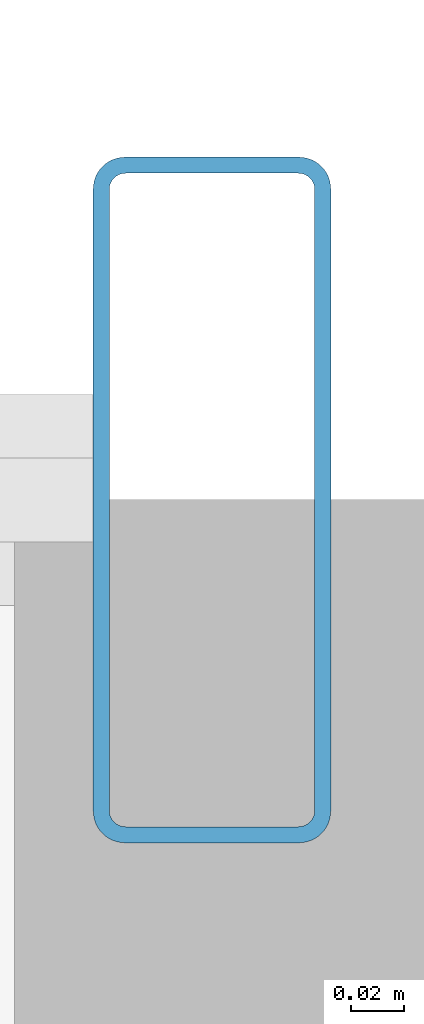
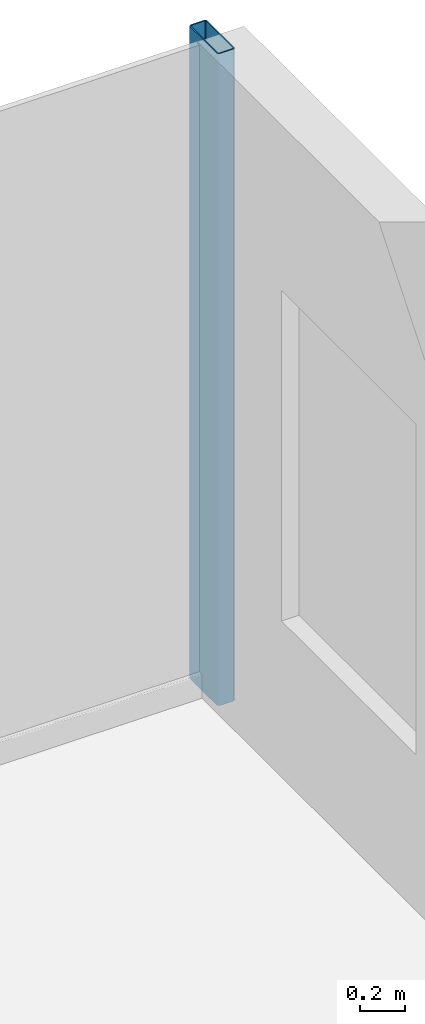
# One storey, part 14 of 26: 1 member, 1 element without a shape of its own.
"""IFC4 building model written with IfcOpenShell, lengths in metres."""

from ifc_helpers import new_model, si_unit, direction, frame, origin, origin_2d, place, context, subcontext, project, spatial, hollow_rectangle, extrude, source, transform, mapped, material, layer, layer_set, material_profile, profile_set, type_object, element, aggregate, save


model = new_model("IFC4")

# Units and contexts
model_context = context("Model", 3, precision=1e-05, world=origin(), true_north=direction((0.0, 1.0)))
body_context = subcontext(model_context, "Body", "Model", "MODEL_VIEW")
ifc_project = project(units=[si_unit("LENGTHUNIT", "METRE"), si_unit("AREAUNIT", "SQUARE_METRE"), si_unit("VOLUMEUNIT", "CUBIC_METRE"), si_unit("PLANEANGLEUNIT", "RADIAN"), si_unit("MASSUNIT", "GRAM", prefix="KILO")], contexts=[model_context])

# Site, building, storey
site_placement = place(None, origin())
site = spatial("IfcSite", under=ifc_project, at=site_placement, CompositionType="ELEMENT")
building_placement = place(site_placement, origin())
building = spatial("IfcBuilding", under=site, at=building_placement, Name="Nefas-Gora Pilgrimage Tower", CompositionType="ELEMENT")
storey_placement = place(building_placement, frame((0.0, 0.0, 94.60009765625)))
storey = spatial("IfcBuildingStorey", under=building, at=storey_placement, Name="L22", CompositionType="ELEMENT", Elevation=94.60009765625)

# Curtain wall, member
ifc_material_1 = material(Name="Dark ceramic-fritted solar-control aluminium-glass curtain wall", Category="aluminium")
ifc_layer = layer(ifc_material_1, 0.219970703125)
ifc_layer_set = layer_set([ifc_layer], Name="Dark ceramic-fritted solar-control aluminium-glass curtain wall")
curtain_wall_type = type_object("IfcCurtainWallType", Name="CW-SYS-2", PredefinedType="NOTDEFINED", material=ifc_layer_set)
curtain_wall_placement = place(storey_placement, origin())
curtain_wall = element("IfcCurtainWall", 1, at=curtain_wall_placement, inside=storey, type_object=curtain_wall_type, Name="L22 Unitised Curtain Wall CW2", PredefinedType="NOTDEFINED")
ifc_material_2 = material(Name="Anodised architectural aluminium", Category="aluminium")
ifc_material_profile = material_profile(ifc_material_2, hollow_rectangle(XDim=0.090087890625, YDim=0.260009765625, WallThickness=0.006103515625, InnerFilletRadius=0.006103515625, OuterFilletRadius=0.011962890625, at=origin_2d()), Name="ALU MULLION 90x260")
ifc_profile_set = profile_set([ifc_material_profile], Name="Anodised architectural aluminium")
member_type = type_object("IfcMemberType", Name="CWM-MUL-2", PredefinedType="MULLION", material=ifc_profile_set)
shared_shape = source(origin(), body_context, "Body", "SweptSolid", [
    extrude(hollow_rectangle(XDim=0.090087890625, YDim=0.260009765625, WallThickness=0.006103515625, InnerFilletRadius=0.006103515625, OuterFilletRadius=0.011962890625, at=origin_2d()), origin(), (0.0, 0.0, 1.0), 3.5498046875),
])
member_placement = place(storey_placement, frame((28.824951171875, 23.02001953125, 0.0), z_axis=(0.0, 0.0, 1.0), x_axis=(-1.0, 0.0, 0.0)))
member = element("IfcMember", 2, at=member_placement, type_object=member_type, Name="CW2 Mullion 1", PredefinedType="MULLION", context=body_context, shape_type="MappedRepresentation", body=[
    mapped(shared_shape, transform((0.0, 0.0, 0.0), x_axis=(1.0, 0.0, 0.0), y_axis=(0.0, 1.0, 0.0), z_axis=(0.0, 0.0, 1.0), scale=1.0)),
])
aggregate(curtain_wall, [member])

save(model, "model.ifc")
